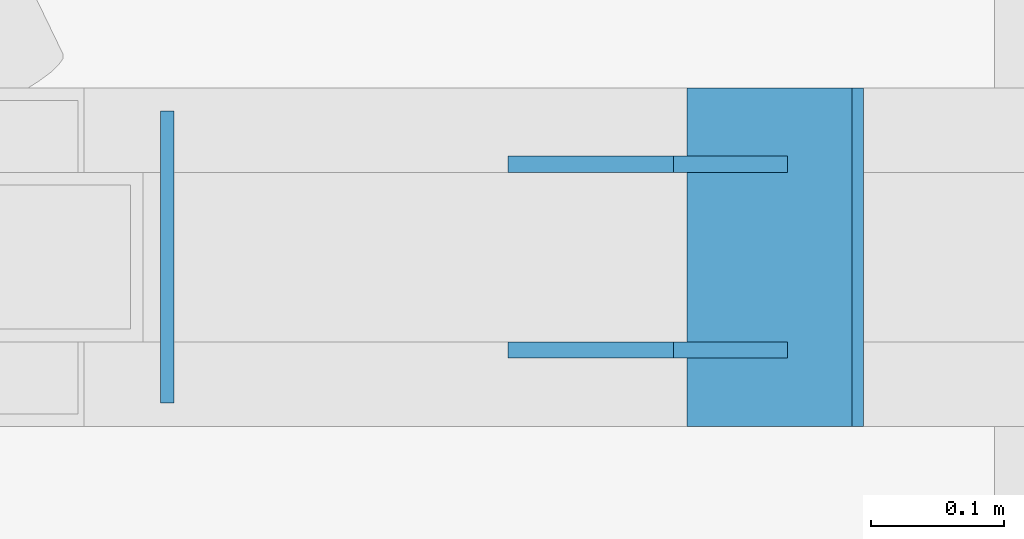
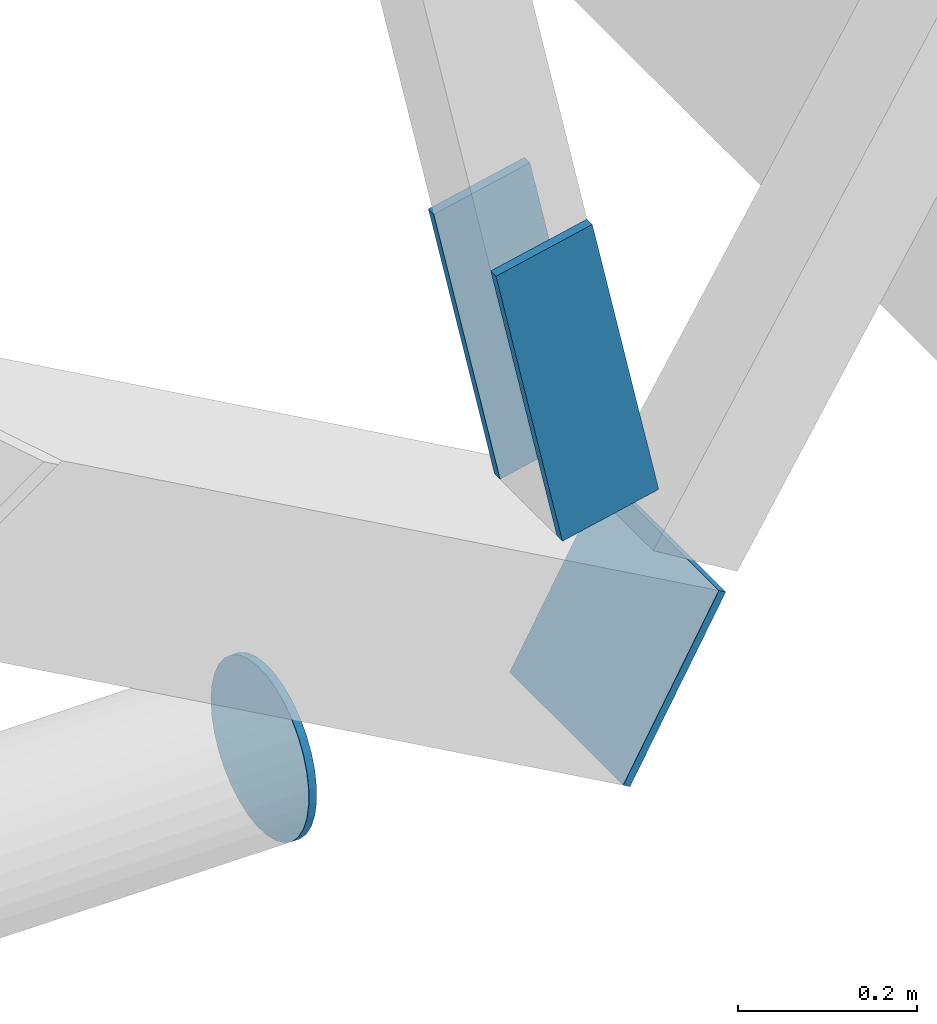
# One storey, part 97 of 127: 4 discrete accessories.
"""IFC4 building model written with IfcOpenShell, lengths in metres."""

from ifc_helpers import new_model, si_unit, direction, frame, origin, origin_2d, place, context, subcontext, project, spatial, rectangle, circle, extrude, material, material_profile, profile_set, type_object, element, save


model = new_model("IFC4")

# Units and contexts
model_context = context("Model", 3, precision=1e-05, world=origin(), true_north=direction((0.0, 1.0)))
body_context = subcontext(model_context, "Body", "Model", "MODEL_VIEW")
ifc_project = project(units=[si_unit("LENGTHUNIT", "METRE"), si_unit("AREAUNIT", "SQUARE_METRE"), si_unit("VOLUMEUNIT", "CUBIC_METRE"), si_unit("PLANEANGLEUNIT", "RADIAN"), si_unit("MASSUNIT", "GRAM", prefix="KILO")], contexts=[model_context])

# Site, building, storey
site_placement = place(None, origin())
site = spatial("IfcSite", under=ifc_project, at=site_placement, CompositionType="ELEMENT")
building_placement = place(site_placement, origin())
building = spatial("IfcBuilding", under=site, at=building_placement, Name="Verrick Yard Athletic Hall", CompositionType="ELEMENT")
storey_placement = place(building_placement, frame((0.0, 0.0, 14.0)))
storey = spatial("IfcBuildingStorey", under=building, at=storey_placement, Name="L03", CompositionType="ELEMENT", Elevation=14.0)

# Discrete accessories
ifc_material = material(Name="Structural steel 350W (CSA G40.21)", Category="steel")
ifc_material_profile_1 = material_profile(ifc_material, rectangle(XDim=0.39990234375, YDim=0.126953125, at=origin_2d()), Name="Brace end cheek plate")
ifc_profile_set_1 = profile_set([ifc_material_profile_1], Name="Structural steel 350W (CSA G40.21)")
discrete_accessory_type_1 = type_object("IfcDiscreteAccessoryType", Name="Brace end cheek plate 400x127x12", PredefinedType="BRACKET", material=ifc_profile_set_1)
discrete_accessory_1_placement = place(storey_placement, frame((75.908935546875, 86.33642578125, 0.416015625), z_axis=(0.0, -1.0, 0.0), x_axis=(-0.213605450371, 0.0, 0.976920012883)))
element("IfcDiscreteAccessory", 1, at=discrete_accessory_1_placement, inside=storey, type_object=discrete_accessory_type_1, Name="Truss web end plate TB3-28 1", PredefinedType="BRACKET", context=body_context, shape_type="SweptSolid", body=[
    extrude(rectangle(XDim=0.39990234375, YDim=0.126953125, at=origin_2d()), origin(), (0.0, 0.0, 1.0), 0.011962890625),
])
discrete_accessory_2_placement = place(storey_placement, frame((75.908935546875, 86.46337890625, 0.416015625), z_axis=(0.0, 1.0, 0.0), x_axis=(-0.213605450371, 0.0, 0.976920012883)))
element("IfcDiscreteAccessory", 2, at=discrete_accessory_2_placement, inside=storey, type_object=discrete_accessory_type_1, Name="Truss web end plate TB3-28 2", PredefinedType="BRACKET", context=body_context, shape_type="SweptSolid", body=[
    extrude(rectangle(XDim=0.39990234375, YDim=0.126953125, at=origin_2d()), origin(), (0.0, 0.0, 1.0), 0.01220703125),
])
ifc_material_profile_2 = material_profile(ifc_material, rectangle(XDim=0.25390625, YDim=0.25390625, at=origin_2d()), Name="STR End cap plate 254x254x9.5")
ifc_profile_set_2 = profile_set([ifc_material_profile_2], Name="Structural steel 350W (CSA G40.21)")
discrete_accessory_type_2 = type_object("IfcDiscreteAccessoryType", Name="STR End cap plate 254x254x9.5", PredefinedType="BRACKET", material=ifc_profile_set_2)
discrete_accessory_3_placement = place(storey_placement, frame((76.0, 86.39990234375, 0.0), z_axis=(0.874157276122, 0.0, -0.485642931179), x_axis=(0.0, 1.0, 0.0)))
element("IfcDiscreteAccessory", 3, at=discrete_accessory_3_placement, inside=storey, type_object=discrete_accessory_type_2, Name="End cap Truss TB3 bottom chord 14 B", PredefinedType="BRACKET", context=body_context, shape_type="SweptSolid", body=[
    extrude(rectangle(XDim=0.25390625, YDim=0.25390625, at=origin_2d()), origin(), (0.0, 0.0, 1.0), 0.010009765625),
])
ifc_material_profile_3 = material_profile(ifc_material, circle(Radius=0.109619140625, at=origin_2d()), Name="STR End cap plate 219x13")
ifc_profile_set_3 = profile_set([ifc_material_profile_3], Name="Structural steel 350W (CSA G40.21)")
discrete_accessory_type_3 = type_object("IfcDiscreteAccessoryType", Name="STR End cap plate 219x13", PredefinedType="BRACKET", material=ifc_profile_set_3)
discrete_accessory_4_placement = place(storey_placement, frame((75.543701171875, 86.39990234375, 0.0), z_axis=(1.0, 0.0, 0.0), x_axis=(0.0, 1.0, 0.0)))
element("IfcDiscreteAccessory", 4, at=discrete_accessory_4_placement, inside=storey, type_object=discrete_accessory_type_3, Name="End cap Truss TB3 tie 1 B", PredefinedType="BRACKET", context=body_context, shape_type="SweptSolid", body=[
    extrude(circle(Radius=0.109619140625, at=origin_2d()), origin(), (0.0, 0.0, 1.0), 0.010009765625),
])

save(model, "model.ifc")
